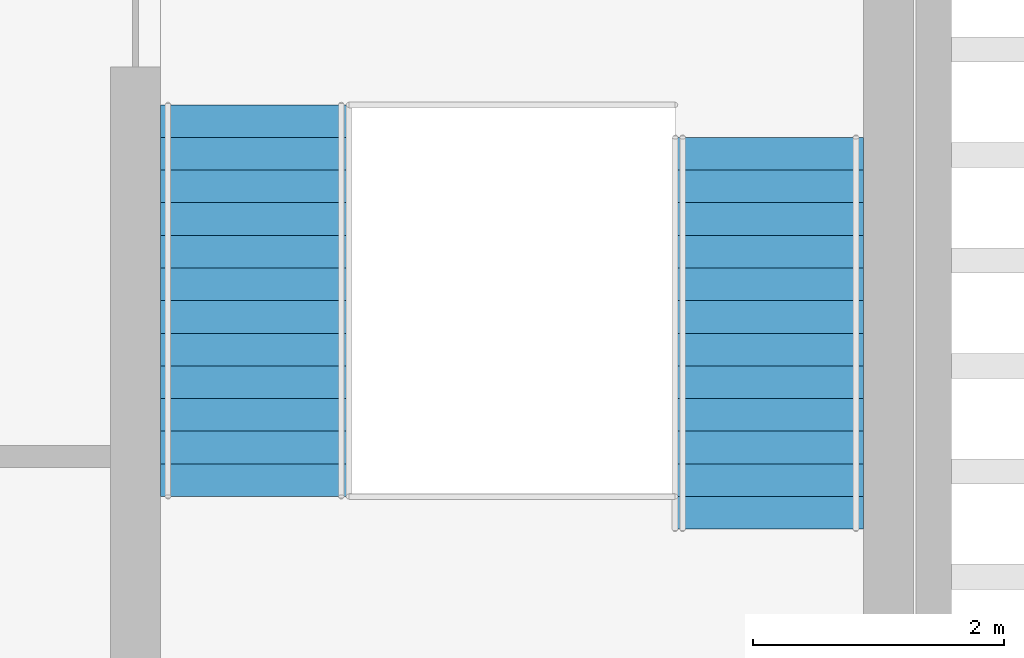
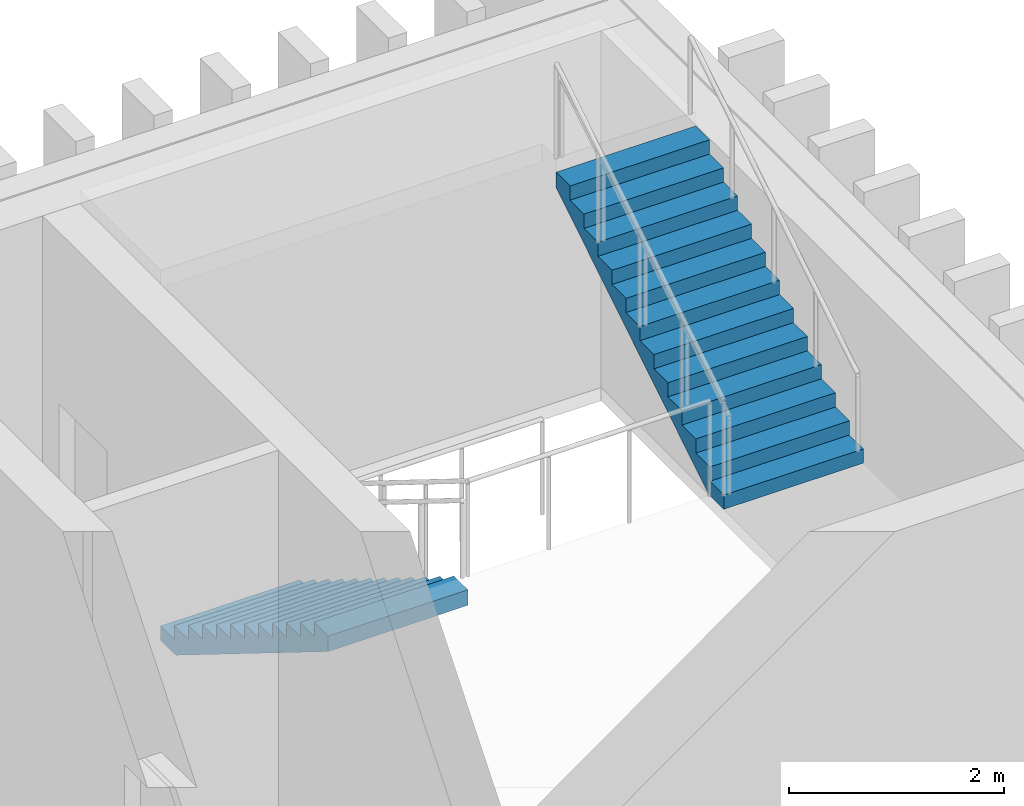
# One storey, part 9 of 11: 2 stair flights, 1 element without a shape of its own.
"""IFC4 building model written with IfcOpenShell, lengths in metres."""

from ifc_helpers import new_model, si_unit, direction, frame, origin, place, context, subcontext, project, spatial, polyline, outline, extrude, material, type_object, element, aggregate, save


model = new_model("IFC4")

# Units and contexts
model_context = context("Model", 3, precision=1e-05, world=origin(), true_north=direction((0.0, 1.0)))
body_context = subcontext(model_context, "Body", "Model", "MODEL_VIEW")
ifc_project = project(units=[si_unit("LENGTHUNIT", "METRE"), si_unit("AREAUNIT", "SQUARE_METRE"), si_unit("VOLUMEUNIT", "CUBIC_METRE"), si_unit("PLANEANGLEUNIT", "RADIAN"), si_unit("MASSUNIT", "GRAM", prefix="KILO")], contexts=[model_context])

# Site, building, storey
site_placement = place(None, origin())
site = spatial("IfcSite", under=ifc_project, at=site_placement, CompositionType="ELEMENT")
building_placement = place(site_placement, origin())
building = spatial("IfcBuilding", under=site, at=building_placement, Name="Cresset Court Congress Hotel", CompositionType="ELEMENT")
storey_placement = place(building_placement, frame((0.0, 0.0, 39.60009765625)))
storey = spatial("IfcBuildingStorey", under=building, at=storey_placement, Name="L09", CompositionType="ELEMENT", Elevation=39.60009765625)

# Stair, stair flights
ifc_material_1 = material(Name="Concrete C40", Category="concrete")
stair_type = type_object("IfcStairType", Name="Concrete dog-leg stair 5600", PredefinedType="HALF_TURN_STAIR", material=ifc_material_1)
stair_placement = place(storey_placement, origin())
stair = element("IfcStair", 1, at=stair_placement, inside=storey, type_object=stair_type, Name="Stair A2 L09", PredefinedType="HALF_TURN_STAIR")
ifc_material_2 = material(Name="Concrete C40", Category="concrete")
stair_flight_type = type_object("IfcStairFlightType", Name="Concrete stair flight", PredefinedType="STRAIGHT", material=ifc_material_2)
stair_flight_1_placement = place(storey_placement, frame((171.35009765625, 65.5, 0.0), z_axis=(0.0, 0.0, 1.0), x_axis=(0.0, -1.0, 0.0)))
stair_flight_1 = element("IfcStairFlight", 2, at=stair_flight_1_placement, type_object=stair_flight_type, Name="A-ST1 flight 1", NumberOfRisers=13, NumberOfTreads=12, PredefinedType="STRAIGHT", RiserHeight=0.161538462, TreadLength=0.26, context=body_context, shape_type="SweptSolid", body=[
    extrude(outline(polyline([(0.0, 0.0), (0.0, 0.16162109375), (0.260009765625, 0.16162109375), (0.260009765625, 0.322998046875), (0.52001953125, 0.322998046875), (0.52001953125, 0.484619140625), (0.780029296875, 0.484619140625), (0.780029296875, 0.646240234375), (1.0400390625, 0.646240234375), (1.0400390625, 0.8076171875), (1.300048828125, 0.8076171875), (1.300048828125, 0.96923828125), (1.56005859375, 0.96923828125), (1.56005859375, 1.130859375), (1.820068359375, 1.130859375), (1.820068359375, 1.292236328125), (2.080078125, 1.292236328125), (2.080078125, 1.453857421875), (2.340087890625, 1.453857421875), (2.340087890625, 1.615478515625), (2.60009765625, 1.615478515625), (2.60009765625, 1.77685546875), (2.860107421875, 1.77685546875), (2.860107421875, 1.9384765625), (3.1201171875, 1.9384765625), (3.1201171875, 2.10009765625), (3.1201171875, 1.761962890625), (0.283935546875, 0.0), (0.0, 0.0)])), frame((0.0, 0.75, 0.0), z_axis=(0.0, -1.0, 0.0), x_axis=(1.0, 0.0, 0.0)), (0.0, 0.0, 1.0), 1.5),
])
stair_flight_2_placement = place(storey_placement, frame((175.449951171875, 62.1201171875, 2.099853515625), z_axis=(0.0, 0.0, 1.0), x_axis=(0.0, 1.0, 0.0)))
stair_flight_2 = element("IfcStairFlight", 3, at=stair_flight_2_placement, type_object=stair_flight_type, Name="A-ST1 flight 2", NumberOfRisers=13, NumberOfTreads=12, PredefinedType="STRAIGHT", RiserHeight=0.161538462, TreadLength=0.26, context=body_context, shape_type="SweptSolid", body=[
    extrude(outline(polyline([(0.0, 0.0), (0.0, 0.16162109375), (0.260009765625, 0.16162109375), (0.260009765625, 0.322998046875), (0.52001953125, 0.322998046875), (0.52001953125, 0.484619140625), (0.780029296875, 0.484619140625), (0.780029296875, 0.646240234375), (1.0400390625, 0.646240234375), (1.0400390625, 0.8076171875), (1.300048828125, 0.8076171875), (1.300048828125, 0.96923828125), (1.56005859375, 0.96923828125), (1.56005859375, 1.130859375), (1.820068359375, 1.130859375), (1.820068359375, 1.292236328125), (2.080078125, 1.292236328125), (2.080078125, 1.453857421875), (2.340087890625, 1.453857421875), (2.340087890625, 1.615478515625), (2.60009765625, 1.615478515625), (2.60009765625, 1.77685546875), (2.860107421875, 1.77685546875), (2.860107421875, 1.9384765625), (3.1201171875, 1.9384765625), (3.1201171875, 2.10009765625), (3.1201171875, 1.761962890625), (0.283935546875, 0.0), (0.0, 0.0)])), frame((0.0, 0.75, 0.0), z_axis=(0.0, -1.0, 0.0), x_axis=(1.0, 0.0, 0.0)), (0.0, 0.0, 1.0), 1.5),
])
aggregate(stair, [stair_flight_1, stair_flight_2])

save(model, "model.ifc")
